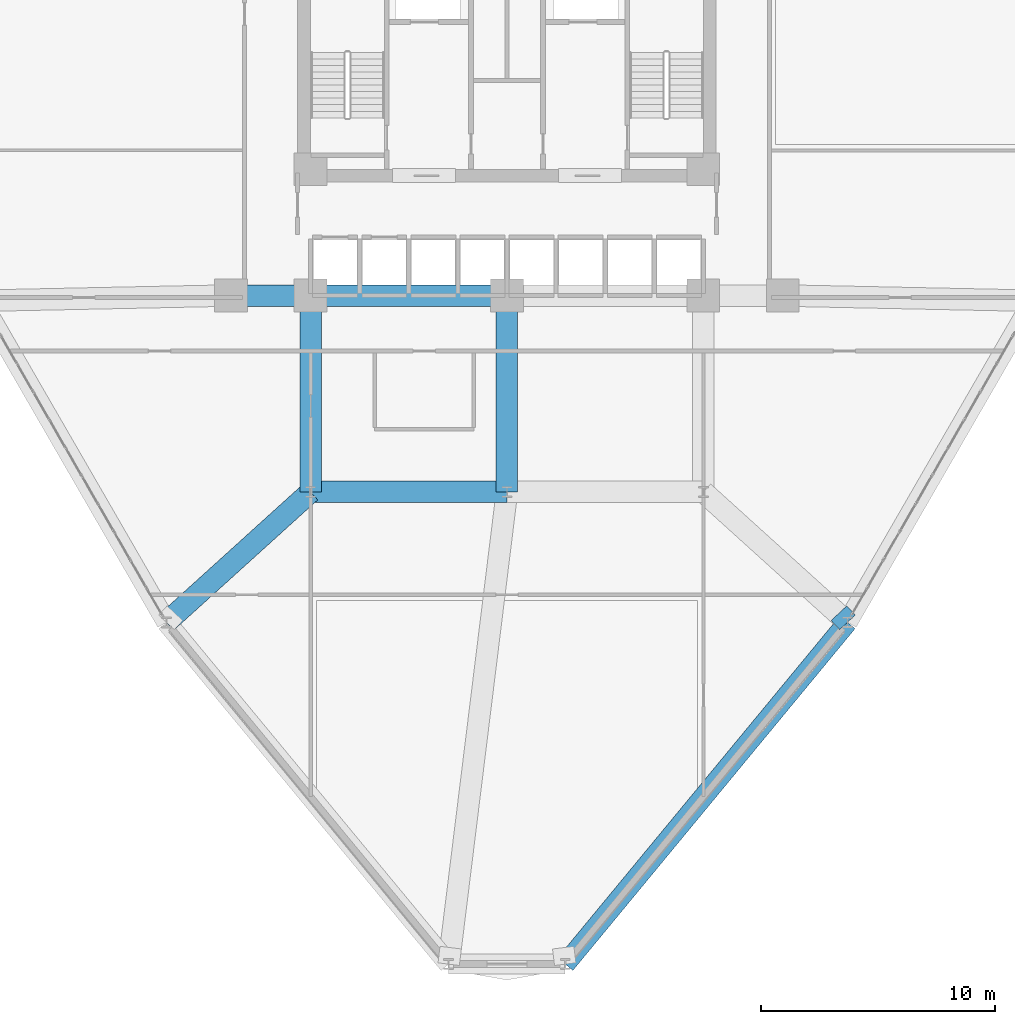
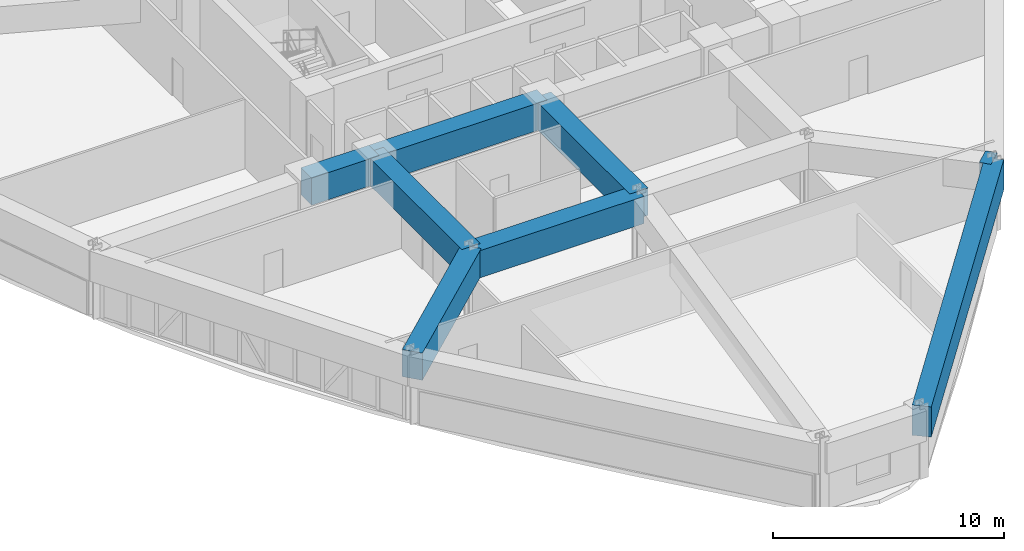
# One storey, part 5 of 20: 8 beams.
"""IFC4 building model written with IfcOpenShell, lengths in metres."""

from ifc_helpers import new_model, si_unit, derived_unit, direction, frame, origin, origin_2d, place, context, subcontext, project, spatial, rectangle, extrude, source, transform, mapped, material, material_profile, profile_set, type_object, element, save


model = new_model("IFC4")

# Units and contexts
model_context = context("Model", 3, precision=1e-05, world=origin(), true_north=direction((0.0, 1.0)))
body_context = subcontext(model_context, "Body", "Model", "MODEL_VIEW")
ifc_project = project(units=[si_unit("LENGTHUNIT", "METRE"), si_unit("AREAUNIT", "SQUARE_METRE"), si_unit("VOLUMEUNIT", "CUBIC_METRE"), si_unit("PLANEANGLEUNIT", "RADIAN"), si_unit("MASSUNIT", "GRAM", prefix="KILO"), derived_unit("THERMALTRANSMITTANCEUNIT", [(si_unit("POWERUNIT", "WATT"), 1), (si_unit("LENGTHUNIT", "METRE"), -2), (si_unit("THERMODYNAMICTEMPERATUREUNIT", "KELVIN"), -1)])], contexts=[model_context])

# Site, building, storey
site_placement = place(None, origin())
site = spatial("IfcSite", under=ifc_project, at=site_placement, CompositionType="ELEMENT")
building_placement = place(site_placement, origin())
building = spatial("IfcBuilding", under=site, at=building_placement, Name="Korsvarv Bourse and Concert Hall", CompositionType="ELEMENT")
storey_placement = place(building_placement, frame((0.0, 0.0, 43.5)))
storey = spatial("IfcBuildingStorey", under=building, at=storey_placement, Name="L10", CompositionType="ELEMENT", Elevation=43.5)

# Beams
ifc_material_1 = material(Name="Concrete C50/60", Category="concrete")
ifc_material_profile_1 = material_profile(ifc_material_1, rectangle(XDim=0.919921875, YDim=1.43994140625, at=origin_2d()), Name="RC-BM 920x1440")
ifc_profile_set_1 = profile_set([ifc_material_profile_1], Name="Concrete C50/60")
beam_type_1 = type_object("IfcBeamType", Name="BM-TR-144", PredefinedType="BEAM", material=ifc_profile_set_1)
shared_shape_1 = source(origin(), body_context, "Body", "SweptSolid", [
    extrude(rectangle(XDim=0.919921875, YDim=1.43994140625, at=origin_2d()), origin(), (0.0, 0.0, 1.0), 3.400146484375),
])
beam_1_placement = place(storey_placement, frame((24.199951171875, 32.39990234375, 2.9599609375), z_axis=(1.0, 0.0, 0.0), x_axis=(0.0, 1.0, 0.0)))
element("IfcBeam", 1, at=beam_1_placement, inside=storey, type_object=beam_type_1, Name="L10 beam B-TR4", PredefinedType="BEAM", context=body_context, shape_type="MappedRepresentation", body=[
    mapped(shared_shape_1, transform((0.0, 0.0, 0.0), scale=1.0)),
])
shared_shape_2 = source(origin(), body_context, "Body", "SweptSolid", [
    extrude(rectangle(XDim=0.919921875, YDim=1.43994140625, at=origin_2d()), origin(), (0.0, 0.0, 1.0), 8.39990234375),
])
for number, where, z_axis, x_axis, name in (
    (2, (27.60009765625, 32.39990234375, 2.9599609375), (1.0, 0.0, 0.0), (0.0, 1.0, 0.0), "L10 beam B-TR4"),
    (3, (27.60009765625, 24.0, 2.9599609375), (1.0, 0.0, 0.0), (0.0, 1.0, 0.0), "L10 beam B-TR4"),
    (4, (27.60009765625, 24.0, 2.9599609375), (0.0, 1.0, 0.0), (-1.0, 0.0, 0.0), "L10 beam B-TR4"),
    (5, (36.0, 24.0, 2.9599609375), (0.0, 1.0, 0.0), (-1.0, 0.0, 0.0), "L10 beam B-TR4"),
):
    element("IfcBeam", number, at=place(storey_placement, frame(where, z_axis=z_axis, x_axis=x_axis)), inside=storey, type_object=beam_type_1, Name=name, PredefinedType="BEAM", context=body_context, shape_type="MappedRepresentation", body=[
        mapped(shared_shape_2, transform((0.0, 0.0, 0.0), scale=1.0)),
    ])
ifc_material_2 = material(Name="Concrete C55/67", Category="concrete")
ifc_material_profile_2 = material_profile(ifc_material_2, rectangle(XDim=0.85009765625, YDim=1.60009765625, at=origin_2d()), Name="RC-BM 850x1600")
ifc_profile_set_2 = profile_set([ifc_material_profile_2], Name="Concrete C55/67")
beam_type_2 = type_object("IfcBeamType", Name="BM-TR1B", PredefinedType="BEAM", material=ifc_profile_set_2)
shared_shape_3 = source(origin(), body_context, "Body", "SweptSolid", [
    extrude(rectangle(XDim=0.85009765625, YDim=1.60009765625, at=origin_2d()), origin(), (0.0, 0.0, 1.0), 18.95849609375),
])
beam_2_placement = place(storey_placement, frame((38.492919921875, 3.802978515625, 2.8798828125), z_axis=(0.636697061267, 0.771114033184, 0.0), x_axis=(-0.771114033184, 0.636697061267, 0.0)))
element("IfcBeam", 6, at=beam_2_placement, inside=storey, type_object=beam_type_2, Name="L10 beam B-TR2", PredefinedType="BEAM", context=body_context, shape_type="MappedRepresentation", body=[
    mapped(shared_shape_3, transform((0.0, 0.0, 0.0), scale=1.0)),
])
shared_shape_4 = source(origin(), body_context, "Body", "SweptSolid", [
    extrude(rectangle(XDim=0.919921875, YDim=1.43994140625, at=origin_2d()), origin(), (0.0, 0.0, 1.0), 8.31298828125),
])
beam_3_placement = place(storey_placement, frame((21.436279296875, 18.422119140625, 2.9599609375), z_axis=(0.741470373588, 0.670985607216, 0.0), x_axis=(-0.670985607216, 0.741470373588, 0.0)))
element("IfcBeam", 7, at=beam_3_placement, inside=storey, type_object=beam_type_1, Name="L10 beam B-TR4", PredefinedType="BEAM", context=body_context, shape_type="MappedRepresentation", body=[
    mapped(shared_shape_4, transform((0.0, 0.0, 0.0), scale=1.0)),
])
shared_shape_5 = source(origin(), body_context, "Body", "SweptSolid", [
    extrude(rectangle(XDim=0.919921875, YDim=1.43994140625, at=origin_2d()), origin(), (0.0, 0.0, 1.0), 0.535400390625),
])
beam_4_placement = place(storey_placement, frame((50.563720703125, 18.422119140625, 2.9599609375), z_axis=(-0.682285750396, 0.731085600191, 0.0), x_axis=(-0.731085600191, -0.682285750396, 0.0)))
element("IfcBeam", 8, at=beam_4_placement, inside=storey, type_object=beam_type_1, Name="L10 beam B-TR4", PredefinedType="BEAM", context=body_context, shape_type="MappedRepresentation", body=[
    mapped(shared_shape_5, transform((0.0, 0.0, 0.0), scale=1.0)),
])

save(model, "model.ifc")
